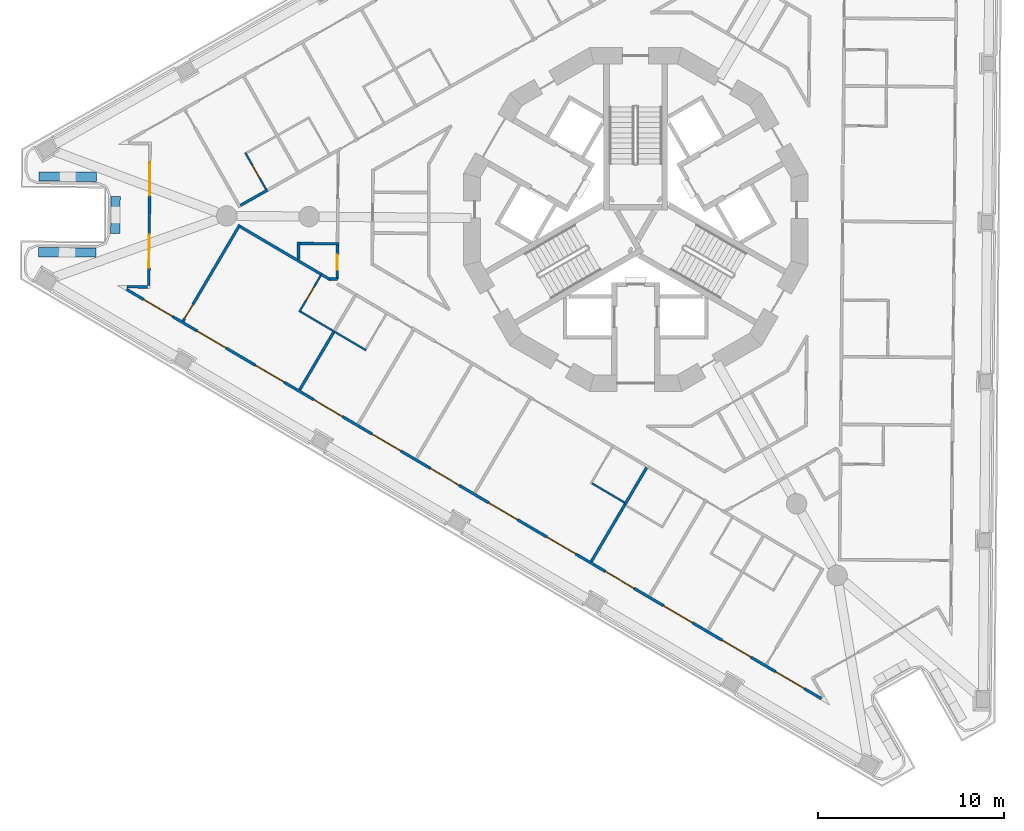
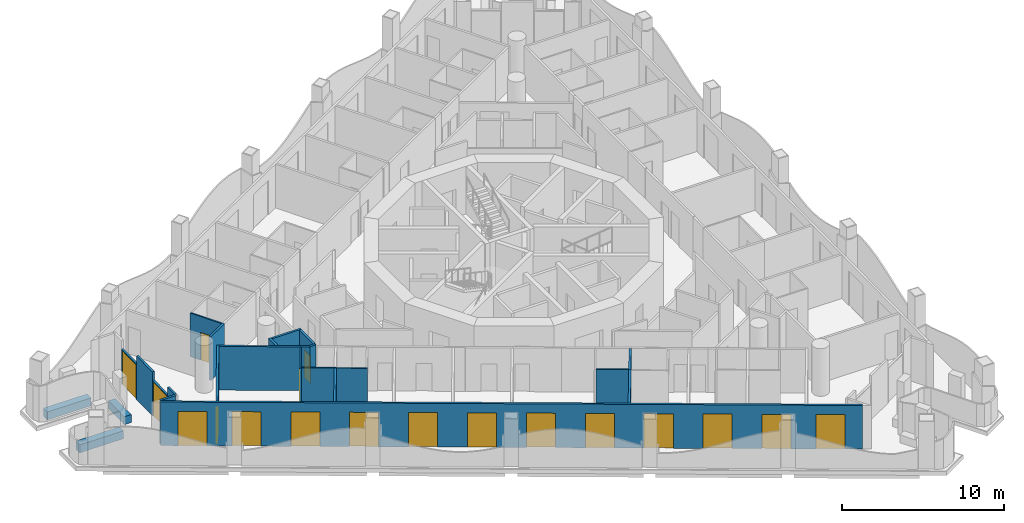
# One storey, part 2 of 17: 24 walls, 18 doors, 18 openings.
"""IFC4 building model written with IfcOpenShell, lengths in metres."""

from ifc_helpers import new_model, si_unit, direction, frame, frame_2d, origin, place, context, subcontext, project, spatial, polyline, rectangle, outline, extrude, material, layer, layer_set, type_object, element, fill, save


model = new_model("IFC4")

# Units and contexts
model_context = context("Model", 3, precision=1e-05, world=origin(), true_north=direction((0.0, 1.0)))
body_context = subcontext(model_context, "Body", "Model", "MODEL_VIEW")
ifc_project = project(units=[si_unit("LENGTHUNIT", "METRE"), si_unit("AREAUNIT", "SQUARE_METRE"), si_unit("VOLUMEUNIT", "CUBIC_METRE"), si_unit("PLANEANGLEUNIT", "RADIAN"), si_unit("MASSUNIT", "GRAM", prefix="KILO")], contexts=[model_context])

# Site, building, storey
site_placement = place(None, origin())
site = spatial("IfcSite", under=ifc_project, at=site_placement, CompositionType="ELEMENT")
building_placement = place(site_placement, origin())
building = spatial("IfcBuilding", under=site, at=building_placement, Name="Trine Commons Tower", CompositionType="ELEMENT")
storey_placement = place(building_placement, frame((0.0, 0.0, 179.10009765625)))
storey = spatial("IfcBuildingStorey", under=building, at=storey_placement, Name="L46", CompositionType="ELEMENT", Elevation=179.10009765625)

# Walls
ifc_material_1 = material(Name="Aluminium-framed insulated wall panel", Category="aluminium")
ifc_layer_1 = layer(ifc_material_1, 0.14990234375)
ifc_layer_set_1 = layer_set([ifc_layer_1], Name="Aluminium-framed insulated wall panel")
wall_type_1 = type_object("IfcWallType", Name="Glazed frame wall 150, EI 60", PredefinedType="SOLIDWALL", material=ifc_layer_set_1)
wall_1_placement = place(storey_placement, frame((52.447265625, 58.875244140625, 0.0), z_axis=(0.0, 0.0, 1.0), x_axis=(0.999962043845, -0.008712684354, 0.0)))
element("IfcWall", 1, at=wall_1_placement, inside=storey, type_object=wall_type_1, Name="Glazed frame wall R1", PredefinedType="SOLIDWALL", context=body_context, shape_type="SweptSolid", body=[
    extrude(outline(polyline([(0.1494140625, 0.074951171875), (0.1494140625, -0.074951171875), (1.235107421875, -0.074951171875), (1.235107421875, 0.074951171875), (0.1494140625, 0.074951171875)])), origin(), (0.0, 0.0, 1.0), 3.2998046875),
])
wall_2_placement = place(storey_placement, frame((53.7568359375, 58.828857421875, 0.0), z_axis=(0.0, 0.0, 1.0), x_axis=(0.008788723053, 0.999961378428, 0.0)))
element("IfcWall", 2, at=wall_2_placement, inside=storey, type_object=wall_type_1, Name="Glazed frame wall P1.1", PredefinedType="SOLIDWALL", context=body_context, shape_type="SweptSolid", body=[
    extrude(outline(polyline([(0.110107421875, -0.074951171875), (1.0, -0.074951171875), (1.0, 0.074951171875), (0.110107421875, 0.074951171875), (0.110107421875, -0.074951171875)])), origin(), (0.0, 0.0, 1.0), 3.2998046875),
])

# Wall, opening, door
wall_3_placement = place(storey_placement, frame((53.765625, 59.828857421875, 0.0), z_axis=(0.0, 0.0, 1.0), x_axis=(0.008737780017, 0.999961824872, 0.0)))
wall_3 = element("IfcWall", 3, at=wall_3_placement, inside=storey, type_object=wall_type_1, Name="Glazed frame wall P1.2", PredefinedType="SOLIDWALL", context=body_context, shape_type="SweptSolid", body=[
    extrude(outline(polyline([(0.0, -0.074951171875), (1.89990234375, -0.074951171875), (1.89990234375, 0.074951171875), (0.0, 0.074951171875), (0.0, -0.074951171875)])), origin(), (0.0, 0.0, 1.0), 2.64990234375),
])
opening_1_placement = place(wall_3_placement, frame((0.050048828125, 0.0, 0.0)))
opening_1 = element("IfcOpeningElement", 4, at=opening_1_placement, cuts=wall_3, Name="Opening BD-5P1-01", PredefinedType="OPENING", context=body_context, shape_type="SweptSolid", body=[
    extrude(rectangle(XDim=1.800048828125, YDim=2.60009765625, at=frame_2d((0.89990234375, 1.300048828125))), frame((0.0, 0.0849609375, 0.0), z_axis=(0.0, -1.0, 0.0), x_axis=(1.0, 0.0, 0.0)), (0.0, 0.0, 1.0), 0.169921875),
])
ifc_material_2 = material(Name="Anodised aluminium frame with double glazing", Category="aluminium")
door_type_1 = type_object("IfcDoorType", Name="Sliding loggia door 1800x2600", OperationType="SLIDING_TO_LEFT", PredefinedType="DOOR", material=ifc_material_2)
door_1_placement = place(opening_1_placement, origin())
door_1 = element("IfcDoor", 5, at=door_1_placement, inside=storey, type_object=door_type_1, Name="Loggia door P1 1", OperationType="SLIDING_TO_LEFT", OverallHeight=2.60009765625, OverallWidth=1.800048828125, PredefinedType="DOOR", context=body_context, shape_type="SweptSolid", body=[
    extrude(rectangle(XDim=1.800048828125, YDim=2.60009765625, at=frame_2d((0.89990234375, 1.300048828125))), frame((0.0, 0.02490234375, 0.0), z_axis=(0.0, -1.0, 0.0), x_axis=(1.0, 0.0, 0.0)), (0.0, 0.0, 1.0), 0.050048828125),
])
fill(opening_1, door_1)

# Wall
wall_4_placement = place(storey_placement, frame((53.7822265625, 61.728759765625, 0.0), z_axis=(0.0, 0.0, 1.0), x_axis=(0.008788723053, 0.999961378428, 0.0)))
element("IfcWall", 6, at=wall_4_placement, inside=storey, type_object=wall_type_1, Name="Glazed frame wall P1.3", PredefinedType="SOLIDWALL", context=body_context, shape_type="SweptSolid", body=[
    extrude(outline(polyline([(0.0, -0.074951171875), (2.0, -0.074951171875), (2.0, 0.074951171875), (0.0, 0.074951171875), (0.0, -0.074951171875)])), origin(), (0.0, 0.0, 1.0), 3.2998046875),
])

# Wall, opening, door
wall_5_placement = place(storey_placement, frame((53.7998046875, 63.728759765625, 0.0), z_axis=(0.0, 0.0, 1.0), x_axis=(0.008609292847, 0.999962939352, 0.0)))
wall_5 = element("IfcWall", 7, at=wall_5_placement, inside=storey, type_object=wall_type_1, Name="Glazed frame wall P1.4", PredefinedType="SOLIDWALL", context=body_context, shape_type="SweptSolid", body=[
    extrude(outline(polyline([(0.0, -0.074951171875), (1.89990234375, -0.074951171875), (1.89990234375, 0.074951171875), (0.0, 0.074951171875), (0.0, -0.074951171875)])), origin(), (0.0, 0.0, 1.0), 2.64990234375),
])
opening_2_placement = place(wall_5_placement, frame((0.050048828125, 0.0, 0.0)))
opening_2 = element("IfcOpeningElement", 8, at=opening_2_placement, cuts=wall_5, Name="Opening BD-5P1-02", PredefinedType="OPENING", context=body_context, shape_type="SweptSolid", body=[
    extrude(rectangle(XDim=1.800048828125, YDim=2.60009765625, at=frame_2d((0.89990234375, 1.300048828125))), frame((0.0, 0.0849609375, 0.0), z_axis=(0.0, -1.0, 0.0), x_axis=(1.0, 0.0, 0.0)), (0.0, 0.0, 1.0), 0.169921875),
])
door_2_placement = place(opening_2_placement, origin())
door_2 = element("IfcDoor", 9, at=door_2_placement, inside=storey, type_object=door_type_1, Name="Loggia door P1 2", OperationType="SLIDING_TO_LEFT", OverallHeight=2.60009765625, OverallWidth=1.800048828125, PredefinedType="DOOR", context=body_context, shape_type="SweptSolid", body=[
    extrude(rectangle(XDim=1.800048828125, YDim=2.60009765625, at=frame_2d((0.89990234375, 1.300048828125))), frame((0.0, 0.02490234375, 0.0), z_axis=(0.0, -1.0, 0.0), x_axis=(1.0, 0.0, 0.0)), (0.0, 0.0, 1.0), 0.050048828125),
])
fill(opening_2, door_2)

# Wall, openings, doors
wall_6_placement = place(storey_placement, frame((90.139404296875, 36.59716796875, 0.0), z_axis=(0.0, 0.0, 1.0), x_axis=(-0.861630336939, 0.507536365659, 0.0)))
wall_6 = element("IfcWall", 10, at=wall_6_placement, inside=storey, type_object=wall_type_1, Name="Glazed frame wall F3", PredefinedType="SOLIDWALL", context=body_context, shape_type="SweptSolid", body=[
    extrude(outline(polyline([(0.1494140625, 0.074951171875), (0.1494140625, -0.074951171875), (43.616943359375, -0.074951171875), (43.616943359375, 0.074951171875), (0.1494140625, 0.074951171875)])), origin(), (0.0, 0.0, 1.0), 3.2998046875),
])
opening_3_placement = place(wall_6_placement, frame((1.2236328125, 0.0, 0.0)))
opening_3 = element("IfcOpeningElement", 11, at=opening_3_placement, cuts=wall_6, Name="Opening BD-5F3-01", PredefinedType="OPENING", context=body_context, shape_type="SweptSolid", body=[
    extrude(rectangle(XDim=1.800048828125, YDim=2.60009765625, at=frame_2d((0.89990234375, 1.300048828125))), frame((0.0, 0.0849609375, 0.0), z_axis=(0.0, -1.0, 0.0), x_axis=(1.0, 0.0, 0.0)), (0.0, 0.0, 1.0), 0.169921875),
])
opening_4_placement = place(wall_6_placement, frame((4.57080078125, 0.0, 0.0)))
opening_4 = element("IfcOpeningElement", 12, at=opening_4_placement, cuts=wall_6, Name="Opening BD-5F3-02", PredefinedType="OPENING", context=body_context, shape_type="SweptSolid", body=[
    extrude(rectangle(XDim=1.800048828125, YDim=2.60009765625, at=frame_2d((0.89990234375, 1.300048828125))), frame((0.0, 0.0849609375, 0.0), z_axis=(0.0, -1.0, 0.0), x_axis=(1.0, 0.0, 0.0)), (0.0, 0.0, 1.0), 0.169921875),
])
opening_5_placement = place(wall_6_placement, frame((8.218017578125, 0.0, 0.0)))
opening_5 = element("IfcOpeningElement", 13, at=opening_5_placement, cuts=wall_6, Name="Opening BD-5F3-03", PredefinedType="OPENING", context=body_context, shape_type="SweptSolid", body=[
    extrude(rectangle(XDim=1.800048828125, YDim=2.60009765625, at=frame_2d((0.89990234375, 1.300048828125))), frame((0.0, 0.0849609375, 0.0), z_axis=(0.0, -1.0, 0.0), x_axis=(1.0, 0.0, 0.0)), (0.0, 0.0, 1.0), 0.169921875),
])
opening_6_placement = place(wall_6_placement, frame((11.865234375, 0.0, 0.0)))
opening_6 = element("IfcOpeningElement", 14, at=opening_6_placement, cuts=wall_6, Name="Opening BD-5F3-04", PredefinedType="OPENING", context=body_context, shape_type="SweptSolid", body=[
    extrude(rectangle(XDim=1.800048828125, YDim=2.60009765625, at=frame_2d((0.89990234375, 1.300048828125))), frame((0.0, 0.0849609375, 0.0), z_axis=(0.0, -1.0, 0.0), x_axis=(1.0, 0.0, 0.0)), (0.0, 0.0, 1.0), 0.169921875),
])
opening_7_placement = place(wall_6_placement, frame((15.512451171875, 0.0, 0.0)))
opening_7 = element("IfcOpeningElement", 15, at=opening_7_placement, cuts=wall_6, Name="Opening BD-5F3-05", PredefinedType="OPENING", context=body_context, shape_type="SweptSolid", body=[
    extrude(rectangle(XDim=1.800048828125, YDim=2.60009765625, at=frame_2d((0.89990234375, 1.300048828125))), frame((0.0, 0.0849609375, 0.0), z_axis=(0.0, -1.0, 0.0), x_axis=(1.0, 0.0, 0.0)), (0.0, 0.0, 1.0), 0.169921875),
])
opening_8_placement = place(wall_6_placement, frame((19.15966796875, 0.0, 0.0)))
opening_8 = element("IfcOpeningElement", 16, at=opening_8_placement, cuts=wall_6, Name="Opening BD-5F3-06", PredefinedType="OPENING", context=body_context, shape_type="SweptSolid", body=[
    extrude(rectangle(XDim=1.800048828125, YDim=2.60009765625, at=frame_2d((0.89990234375, 1.300048828125))), frame((0.0, 0.0849609375, 0.0), z_axis=(0.0, -1.0, 0.0), x_axis=(1.0, 0.0, 0.0)), (0.0, 0.0, 1.0), 0.169921875),
])
opening_9_placement = place(wall_6_placement, frame((22.806884765625, 0.0, 0.0)))
opening_9 = element("IfcOpeningElement", 17, at=opening_9_placement, cuts=wall_6, Name="Opening BD-5F3-07", PredefinedType="OPENING", context=body_context, shape_type="SweptSolid", body=[
    extrude(rectangle(XDim=1.800048828125, YDim=2.60009765625, at=frame_2d((0.89990234375, 1.300048828125))), frame((0.0, 0.0849609375, 0.0), z_axis=(0.0, -1.0, 0.0), x_axis=(1.0, 0.0, 0.0)), (0.0, 0.0, 1.0), 0.169921875),
])
opening_10_placement = place(wall_6_placement, frame((26.4541015625, 0.0, 0.0)))
opening_10 = element("IfcOpeningElement", 18, at=opening_10_placement, cuts=wall_6, Name="Opening BD-5F3-08", PredefinedType="OPENING", context=body_context, shape_type="SweptSolid", body=[
    extrude(rectangle(XDim=1.800048828125, YDim=2.60009765625, at=frame_2d((0.89990234375, 1.300048828125))), frame((0.0, 0.0849609375, 0.0), z_axis=(0.0, -1.0, 0.0), x_axis=(1.0, 0.0, 0.0)), (0.0, 0.0, 1.0), 0.169921875),
])
opening_11_placement = place(wall_6_placement, frame((30.101318359375, 0.0, 0.0)))
opening_11 = element("IfcOpeningElement", 19, at=opening_11_placement, cuts=wall_6, Name="Opening BD-5F3-09", PredefinedType="OPENING", context=body_context, shape_type="SweptSolid", body=[
    extrude(rectangle(XDim=1.800048828125, YDim=2.60009765625, at=frame_2d((0.89990234375, 1.300048828125))), frame((0.0, 0.0849609375, 0.0), z_axis=(0.0, -1.0, 0.0), x_axis=(1.0, 0.0, 0.0)), (0.0, 0.0, 1.0), 0.169921875),
])
opening_12_placement = place(wall_6_placement, frame((33.748291015625, 0.0, 0.0)))
opening_12 = element("IfcOpeningElement", 20, at=opening_12_placement, cuts=wall_6, Name="Opening BD-5F3-10", PredefinedType="OPENING", context=body_context, shape_type="SweptSolid", body=[
    extrude(rectangle(XDim=1.800048828125, YDim=2.60009765625, at=frame_2d((0.89990234375, 1.300048828125))), frame((0.0, 0.0849609375, 0.0), z_axis=(0.0, -1.0, 0.0), x_axis=(1.0, 0.0, 0.0)), (0.0, 0.0, 1.0), 0.169921875),
])
opening_13_placement = place(wall_6_placement, frame((37.3955078125, 0.0, 0.0)))
opening_13 = element("IfcOpeningElement", 21, at=opening_13_placement, cuts=wall_6, Name="Opening BD-5F3-11", PredefinedType="OPENING", context=body_context, shape_type="SweptSolid", body=[
    extrude(rectangle(XDim=1.800048828125, YDim=2.60009765625, at=frame_2d((0.89990234375, 1.300048828125))), frame((0.0, 0.0849609375, 0.0), z_axis=(0.0, -1.0, 0.0), x_axis=(1.0, 0.0, 0.0)), (0.0, 0.0, 1.0), 0.169921875),
])
opening_14_placement = place(wall_6_placement, frame((40.742919921875, 0.0, 0.0)))
opening_14 = element("IfcOpeningElement", 22, at=opening_14_placement, cuts=wall_6, Name="Opening BD-5F3-12", PredefinedType="OPENING", context=body_context, shape_type="SweptSolid", body=[
    extrude(rectangle(XDim=1.800048828125, YDim=2.60009765625, at=frame_2d((0.89990234375, 1.300048828125))), frame((0.0, 0.0849609375, 0.0), z_axis=(0.0, -1.0, 0.0), x_axis=(1.0, 0.0, 0.0)), (0.0, 0.0, 1.0), 0.169921875),
])
door_3_placement = place(opening_3_placement, origin())
door_3 = element("IfcDoor", 23, at=door_3_placement, inside=storey, type_object=door_type_1, Name="Loggia door F3 1", OperationType="SLIDING_TO_LEFT", OverallHeight=2.60009765625, OverallWidth=1.800048828125, PredefinedType="DOOR", context=body_context, shape_type="SweptSolid", body=[
    extrude(rectangle(XDim=1.800048828125, YDim=2.60009765625, at=frame_2d((0.89990234375, 1.300048828125))), frame((0.0, 0.02490234375, 0.0), z_axis=(0.0, -1.0, 0.0), x_axis=(1.0, 0.0, 0.0)), (0.0, 0.0, 1.0), 0.050048828125),
])
fill(opening_3, door_3)
door_4_placement = place(opening_4_placement, origin())
door_4 = element("IfcDoor", 24, at=door_4_placement, inside=storey, type_object=door_type_1, Name="Loggia door F3 2", OperationType="SLIDING_TO_LEFT", OverallHeight=2.60009765625, OverallWidth=1.800048828125, PredefinedType="DOOR", context=body_context, shape_type="SweptSolid", body=[
    extrude(rectangle(XDim=1.800048828125, YDim=2.60009765625, at=frame_2d((0.89990234375, 1.300048828125))), frame((0.0, 0.02490234375, 0.0), z_axis=(0.0, -1.0, 0.0), x_axis=(1.0, 0.0, 0.0)), (0.0, 0.0, 1.0), 0.050048828125),
])
fill(opening_4, door_4)
door_5_placement = place(opening_5_placement, origin())
door_5 = element("IfcDoor", 25, at=door_5_placement, inside=storey, type_object=door_type_1, Name="Loggia door F3 3", OperationType="SLIDING_TO_LEFT", OverallHeight=2.60009765625, OverallWidth=1.800048828125, PredefinedType="DOOR", context=body_context, shape_type="SweptSolid", body=[
    extrude(rectangle(XDim=1.800048828125, YDim=2.60009765625, at=frame_2d((0.89990234375, 1.300048828125))), frame((0.0, 0.02490234375, 0.0), z_axis=(0.0, -1.0, 0.0), x_axis=(1.0, 0.0, 0.0)), (0.0, 0.0, 1.0), 0.050048828125),
])
fill(opening_5, door_5)
door_6_placement = place(opening_6_placement, origin())
door_6 = element("IfcDoor", 26, at=door_6_placement, inside=storey, type_object=door_type_1, Name="Loggia door F3 4", OperationType="SLIDING_TO_LEFT", OverallHeight=2.60009765625, OverallWidth=1.800048828125, PredefinedType="DOOR", context=body_context, shape_type="SweptSolid", body=[
    extrude(rectangle(XDim=1.800048828125, YDim=2.60009765625, at=frame_2d((0.89990234375, 1.300048828125))), frame((0.0, 0.02490234375, 0.0), z_axis=(0.0, -1.0, 0.0), x_axis=(1.0, 0.0, 0.0)), (0.0, 0.0, 1.0), 0.050048828125),
])
fill(opening_6, door_6)
door_7_placement = place(opening_7_placement, origin())
door_7 = element("IfcDoor", 27, at=door_7_placement, inside=storey, type_object=door_type_1, Name="Loggia door F3 5", OperationType="SLIDING_TO_LEFT", OverallHeight=2.60009765625, OverallWidth=1.800048828125, PredefinedType="DOOR", context=body_context, shape_type="SweptSolid", body=[
    extrude(rectangle(XDim=1.800048828125, YDim=2.60009765625, at=frame_2d((0.89990234375, 1.300048828125))), frame((0.0, 0.02490234375, 0.0), z_axis=(0.0, -1.0, 0.0), x_axis=(1.0, 0.0, 0.0)), (0.0, 0.0, 1.0), 0.050048828125),
])
fill(opening_7, door_7)
door_8_placement = place(opening_8_placement, origin())
door_8 = element("IfcDoor", 28, at=door_8_placement, inside=storey, type_object=door_type_1, Name="Loggia door F3 6", OperationType="SLIDING_TO_LEFT", OverallHeight=2.60009765625, OverallWidth=1.800048828125, PredefinedType="DOOR", context=body_context, shape_type="SweptSolid", body=[
    extrude(rectangle(XDim=1.800048828125, YDim=2.60009765625, at=frame_2d((0.89990234375, 1.300048828125))), frame((0.0, 0.02490234375, 0.0), z_axis=(0.0, -1.0, 0.0), x_axis=(1.0, 0.0, 0.0)), (0.0, 0.0, 1.0), 0.050048828125),
])
fill(opening_8, door_8)
door_9_placement = place(opening_9_placement, origin())
door_9 = element("IfcDoor", 29, at=door_9_placement, inside=storey, type_object=door_type_1, Name="Loggia door F3 7", OperationType="SLIDING_TO_LEFT", OverallHeight=2.60009765625, OverallWidth=1.800048828125, PredefinedType="DOOR", context=body_context, shape_type="SweptSolid", body=[
    extrude(rectangle(XDim=1.800048828125, YDim=2.60009765625, at=frame_2d((0.89990234375, 1.300048828125))), frame((0.0, 0.02490234375, 0.0), z_axis=(0.0, -1.0, 0.0), x_axis=(1.0, 0.0, 0.0)), (0.0, 0.0, 1.0), 0.050048828125),
])
fill(opening_9, door_9)
door_10_placement = place(opening_10_placement, origin())
door_10 = element("IfcDoor", 30, at=door_10_placement, inside=storey, type_object=door_type_1, Name="Loggia door F3 8", OperationType="SLIDING_TO_LEFT", OverallHeight=2.60009765625, OverallWidth=1.800048828125, PredefinedType="DOOR", context=body_context, shape_type="SweptSolid", body=[
    extrude(rectangle(XDim=1.800048828125, YDim=2.60009765625, at=frame_2d((0.89990234375, 1.300048828125))), frame((0.0, 0.02490234375, 0.0), z_axis=(0.0, -1.0, 0.0), x_axis=(1.0, 0.0, 0.0)), (0.0, 0.0, 1.0), 0.050048828125),
])
fill(opening_10, door_10)
door_11_placement = place(opening_11_placement, origin())
door_11 = element("IfcDoor", 31, at=door_11_placement, inside=storey, type_object=door_type_1, Name="Loggia door F3 9", OperationType="SLIDING_TO_LEFT", OverallHeight=2.60009765625, OverallWidth=1.800048828125, PredefinedType="DOOR", context=body_context, shape_type="SweptSolid", body=[
    extrude(rectangle(XDim=1.800048828125, YDim=2.60009765625, at=frame_2d((0.89990234375, 1.300048828125))), frame((0.0, 0.02490234375, 0.0), z_axis=(0.0, -1.0, 0.0), x_axis=(1.0, 0.0, 0.0)), (0.0, 0.0, 1.0), 0.050048828125),
])
fill(opening_11, door_11)
door_12_placement = place(opening_12_placement, origin())
door_12 = element("IfcDoor", 32, at=door_12_placement, inside=storey, type_object=door_type_1, Name="Loggia door F3 10", OperationType="SLIDING_TO_LEFT", OverallHeight=2.60009765625, OverallWidth=1.800048828125, PredefinedType="DOOR", context=body_context, shape_type="SweptSolid", body=[
    extrude(rectangle(XDim=1.800048828125, YDim=2.60009765625, at=frame_2d((0.89990234375, 1.300048828125))), frame((0.0, 0.02490234375, 0.0), z_axis=(0.0, -1.0, 0.0), x_axis=(1.0, 0.0, 0.0)), (0.0, 0.0, 1.0), 0.050048828125),
])
fill(opening_12, door_12)
door_13_placement = place(opening_13_placement, origin())
door_13 = element("IfcDoor", 33, at=door_13_placement, inside=storey, type_object=door_type_1, Name="Loggia door F3 11", OperationType="SLIDING_TO_LEFT", OverallHeight=2.60009765625, OverallWidth=1.800048828125, PredefinedType="DOOR", context=body_context, shape_type="SweptSolid", body=[
    extrude(rectangle(XDim=1.800048828125, YDim=2.60009765625, at=frame_2d((0.89990234375, 1.300048828125))), frame((0.0, 0.02490234375, 0.0), z_axis=(0.0, -1.0, 0.0), x_axis=(1.0, 0.0, 0.0)), (0.0, 0.0, 1.0), 0.050048828125),
])
fill(opening_13, door_13)
door_14_placement = place(opening_14_placement, origin())
door_14 = element("IfcDoor", 34, at=door_14_placement, inside=storey, type_object=door_type_1, Name="Loggia door F3 12", OperationType="SLIDING_TO_LEFT", OverallHeight=2.60009765625, OverallWidth=1.800048828125, PredefinedType="DOOR", context=body_context, shape_type="SweptSolid", body=[
    extrude(rectangle(XDim=1.800048828125, YDim=2.60009765625, at=frame_2d((0.89990234375, 1.300048828125))), frame((0.0, 0.02490234375, 0.0), z_axis=(0.0, -1.0, 0.0), x_axis=(1.0, 0.0, 0.0)), (0.0, 0.0, 1.0), 0.050048828125),
])
fill(opening_14, door_14)

# Walls
ifc_material_3 = material(Name="Planter trough, precast concrete C40/50", Category="concrete")
ifc_layer_2 = layer(ifc_material_3, 0.5)
ifc_layer_set_2 = layer_set([ifc_layer_2], Name="Planter trough, precast concrete C40/50")
wall_type_2 = type_object("IfcWallType", Name="Planter trough 500x600", PredefinedType="PARAPET", material=ifc_layer_set_2)
wall_7_placement = place(storey_placement, frame((47.808349609375, 60.74072265625, 0.0), z_axis=(0.0, 0.0, 1.0), x_axis=(0.99996247431, -0.008663138708, 0.0)))
element("IfcWall", 35, at=wall_7_placement, inside=storey, type_object=wall_type_2, Name="Planter 1", PredefinedType="PARAPET", context=body_context, shape_type="SweptSolid", body=[
    extrude(rectangle(XDim=3.099853515625, YDim=0.5, at=frame_2d((1.5498046875, 0.0))), origin(), (0.0, 0.0, 1.0), 0.599853515625),
])
wall_8_placement = place(storey_placement, frame((51.957275390625, 61.74462890625, 0.0), z_axis=(0.0, 0.0, 1.0), x_axis=(0.008666666688, 0.999962443739, 0.0)))
element("IfcWall", 36, at=wall_8_placement, inside=storey, type_object=wall_type_2, Name="Planter 2", PredefinedType="PARAPET", context=body_context, shape_type="SweptSolid", body=[
    extrude(rectangle(XDim=2.0, YDim=0.5, at=frame_2d((1.0, 0.0))), origin(), (0.0, 0.0, 1.0), 0.599853515625),
])
wall_9_placement = place(storey_placement, frame((50.94384765625, 64.793701171875, 0.0), z_axis=(0.0, 0.0, 1.0), x_axis=(-0.999961788962, 0.008741888523, 0.0)))
element("IfcWall", 37, at=wall_9_placement, inside=storey, type_object=wall_type_2, Name="Planter 3", PredefinedType="PARAPET", context=body_context, shape_type="SweptSolid", body=[
    extrude(rectangle(XDim=3.099853515625, YDim=0.5, at=frame_2d((1.5498046875, 0.0))), origin(), (0.0, 0.0, 1.0), 0.599853515625),
])

# Wall, opening, door
ifc_material_4 = material(Name="Gypsum plasterboard on steel stud", Category="steel")
ifc_layer_3 = layer(ifc_material_4, 0.14990234375)
ifc_layer_set_3 = layer_set([ifc_layer_3], Name="Gypsum plasterboard on steel stud")
wall_type_3 = type_object("IfcWallType", Name="Unit and corridor wall 150 mm, EI 60", PredefinedType="PARTITIONING", material=ifc_layer_set_3)
wall_10_placement = place(storey_placement, frame((55.609375, 57.0234375, 0.0), z_axis=(0.0, 0.0, 1.0), x_axis=(0.507512364089, 0.861644474419, 0.0)))
wall_10 = element("IfcWall", 38, at=wall_10_placement, inside=storey, type_object=wall_type_3, Name="Partition 001", PredefinedType="PARTITIONING", context=body_context, shape_type="SweptSolid", body=[
    extrude(rectangle(XDim=6.024658203125, YDim=0.14990234375, at=frame_2d((3.01220703125, 0.0))), origin(), (0.0, 0.0, 1.0), 3.2998046875),
])
opening_15_placement = place(wall_10_placement, frame((0.14990234375, 0.0, 0.0)))
opening_15 = element("IfcOpeningElement", 39, at=opening_15_placement, cuts=wall_10, Name="Opening D-5B29", PredefinedType="OPENING", context=body_context, shape_type="SweptSolid", body=[
    extrude(rectangle(XDim=0.89990234375, YDim=2.10009765625, at=frame_2d((0.449951171875, 1.050048828125))), frame((0.0, 0.0849609375, 0.0), z_axis=(0.0, -1.0, 0.0), x_axis=(1.0, 0.0, 0.0)), (0.0, 0.0, 1.0), 0.169921875),
])
ifc_material_5 = material(Name="Timber fire door set", Category="wood")
door_type_2 = type_object("IfcDoorType", Name="Bedroom door 900 x 2100, FD30S", OperationType="NOTDEFINED", PredefinedType="DOOR", material=ifc_material_5)
door_15_placement = place(opening_15_placement, frame((0.89990234375, 0.0, 0.0), z_axis=(0.0, 0.0, 1.0), x_axis=(-1.0, 0.0, 0.0)))
door_15 = element("IfcDoor", 40, at=door_15_placement, inside=storey, type_object=door_type_2, Name="Door D-5B29", OperationType="SINGLE_SWING_RIGHT", OverallHeight=2.10009765625, OverallWidth=0.89990234375, PredefinedType="DOOR", context=body_context, shape_type="SweptSolid", body=[
    extrude(rectangle(XDim=0.89990234375, YDim=2.10009765625, at=frame_2d((0.449951171875, 1.050048828125))), frame((0.0, 0.02490234375, 0.0), z_axis=(0.0, -1.0, 0.0), x_axis=(1.0, 0.0, 0.0)), (0.0, 0.0, 1.0), 0.050048828125),
])
fill(opening_15, door_15)

# Walls
wall_11_placement = place(storey_placement, frame((58.693603515625, 62.11181640625, 0.0), z_axis=(0.0, 0.0, 1.0), x_axis=(0.861647069411, -0.507507958336, 0.0)))
element("IfcWall", 41, at=wall_11_placement, inside=storey, type_object=wall_type_3, Name="Partition 003", PredefinedType="PARTITIONING", context=body_context, shape_type="SweptSolid", body=[
    extrude(rectangle(XDim=5.0732421875, YDim=0.14990234375, at=frame_2d((2.53662109375, 0.0))), origin(), (0.0, 0.0, 1.0), 3.2998046875),
])
wall_12_placement = place(storey_placement, frame((58.704345703125, 63.260009765625, 0.0), z_axis=(0.0, 0.0, 1.0), x_axis=(0.870190857822, 0.492714796778, 0.0)))
element("IfcWall", 42, at=wall_12_placement, inside=storey, type_object=wall_type_3, Name="Partition 004", PredefinedType="PARTITIONING", context=body_context, shape_type="SweptSolid", body=[
    extrude(rectangle(XDim=1.67578125, YDim=0.14990234375, at=frame_2d((0.837890625, 0.0))), origin(), (0.0, 0.0, 1.0), 3.2998046875),
])
wall_13_placement = place(storey_placement, frame((61.82568359375, 60.343017578125, 0.0), z_axis=(0.0, 0.0, 1.0), x_axis=(0.008337386084, 0.999965243393, 0.0)))
element("IfcWall", 43, at=wall_13_placement, inside=storey, type_object=wall_type_3, Name="Partition 010", PredefinedType="PARTITIONING", context=body_context, shape_type="SweptSolid", body=[
    extrude(rectangle(XDim=0.93701171875, YDim=0.14990234375, at=frame_2d((0.468505859375, 0.0))), origin(), (0.0, 0.0, 1.0), 3.2998046875),
])
wall_14_placement = place(storey_placement, frame((61.907958984375, 61.204345703125, 0.0), z_axis=(0.0, 0.0, 1.0), x_axis=(0.999962964822, -0.008606333961, 0.0)))
element("IfcWall", 44, at=wall_14_placement, inside=storey, type_object=wall_type_3, Name="Partition 011", PredefinedType="PARTITIONING", context=body_context, shape_type="SweptSolid", body=[
    extrude(rectangle(XDim=2.09912109375, YDim=0.14990234375, at=frame_2d((1.049560546875, 0.0))), origin(), (0.0, 0.0, 1.0), 3.2998046875),
])
wall_15_placement = place(storey_placement, frame((61.894287109375, 53.321533203125, 0.0), z_axis=(0.0, 0.0, 1.0), x_axis=(0.507657247854, 0.86155912084, 0.0)))
element("IfcWall", 45, at=wall_15_placement, inside=storey, type_object=wall_type_3, Name="Partition 012", PredefinedType="PARTITIONING", context=body_context, shape_type="SweptSolid", body=[
    extrude(rectangle(XDim=3.599609375, YDim=0.14990234375, at=frame_2d((1.7998046875, 0.0))), origin(), (0.0, 0.0, 1.0), 3.2998046875),
])
wall_16_placement = place(storey_placement, frame((63.05908203125, 59.541015625, 0.0), z_axis=(0.0, 0.0, 1.0), x_axis=(0.861380392191, -0.507960451167, 0.0)))
element("IfcWall", 46, at=wall_16_placement, inside=storey, type_object=wall_type_3, Name="Partition 017", PredefinedType="PARTITIONING", context=body_context, shape_type="SweptSolid", body=[
    extrude(rectangle(XDim=0.567138671875, YDim=0.14990234375, at=frame_2d((0.28369140625, 0.0))), origin(), (0.0, 0.0, 1.0), 3.2998046875),
])
wall_17_placement = place(storey_placement, frame((63.537109375, 59.29052734375, 0.0), z_axis=(0.0, 0.0, 1.0), x_axis=(0.99995807265, -0.009157125207, 0.0)))
element("IfcWall", 47, at=wall_17_placement, inside=storey, type_object=wall_type_3, Name="Partition 018", PredefinedType="PARTITIONING", context=body_context, shape_type="SweptSolid", body=[
    extrude(rectangle(XDim=0.39990234375, YDim=0.14990234375, at=frame_2d((0.199951171875, 0.0))), origin(), (0.0, 0.0, 1.0), 3.2998046875),
])

# Wall, opening, door
wall_18_placement = place(storey_placement, frame((63.916015625, 59.282958984375, 0.0), z_axis=(0.0, 0.0, 1.0), x_axis=(0.008923459297, 0.999960185144, 0.0)))
wall_18 = element("IfcWall", 48, at=wall_18_placement, inside=storey, type_object=wall_type_3, Name="Partition 022", PredefinedType="PARTITIONING", context=body_context, shape_type="SweptSolid", body=[
    extrude(rectangle(XDim=1.8330078125, YDim=0.14990234375, at=frame_2d((0.91650390625, 0.0))), origin(), (0.0, 0.0, 1.0), 3.2998046875),
])
opening_16_placement = place(wall_18_placement, frame((0.5185546875, 0.0, 0.0)))
opening_16 = element("IfcOpeningElement", 49, at=opening_16_placement, cuts=wall_18, Name="Opening D-5B05", PredefinedType="OPENING", context=body_context, shape_type="SweptSolid", body=[
    extrude(rectangle(XDim=0.800048828125, YDim=2.10009765625, at=frame_2d((0.39990234375, 1.050048828125))), frame((0.0, 0.0849609375, 0.0), z_axis=(0.0, -1.0, 0.0), x_axis=(1.0, 0.0, 0.0)), (0.0, 0.0, 1.0), 0.169921875),
])
ifc_material_6 = material(Name="Painted timber", Category="wood")
door_type_3 = type_object("IfcDoorType", Name="Toilet door 800 x 2100, NOT RATED", OperationType="NOTDEFINED", PredefinedType="DOOR", material=ifc_material_6)
door_16_placement = place(opening_16_placement, origin())
door_16 = element("IfcDoor", 50, at=door_16_placement, inside=storey, type_object=door_type_3, Name="Door D-5B05", OperationType="SINGLE_SWING_RIGHT", OverallHeight=2.10009765625, OverallWidth=0.800048828125, PredefinedType="DOOR", context=body_context, shape_type="SweptSolid", body=[
    extrude(rectangle(XDim=0.800048828125, YDim=2.10009765625, at=frame_2d((0.39990234375, 1.050048828125))), frame((0.0, 0.02490234375, 0.0), z_axis=(0.0, -1.0, 0.0), x_axis=(1.0, 0.0, 0.0)), (0.0, 0.0, 1.0), 0.050048828125),
])
fill(opening_16, door_16)

# Walls
wall_19_placement = place(storey_placement, frame((77.607421875, 44.06640625, 0.0), z_axis=(0.0, 0.0, 1.0), x_axis=(0.507645549637, 0.861566013683, 0.0)))
element("IfcWall", 51, at=wall_19_placement, inside=storey, type_object=wall_type_3, Name="Partition 059", PredefinedType="PARTITIONING", context=body_context, shape_type="SweptSolid", body=[
    extrude(rectangle(XDim=3.598876953125, YDim=0.14990234375, at=frame_2d((1.79931640625, 0.0))), origin(), (0.0, 0.0, 1.0), 3.2998046875),
])
wall_20_placement = place(storey_placement, frame((79.4326171875, 47.162841796875, 0.0), z_axis=(0.0, 0.0, 1.0), x_axis=(0.507296227994, 0.861771743017, 0.0)))
element("IfcWall", 52, at=wall_20_placement, inside=storey, type_object=wall_type_3, Name="Partition 066", PredefinedType="PARTITIONING", context=body_context, shape_type="SweptSolid", body=[
    extrude(rectangle(XDim=2.27978515625, YDim=0.14990234375, at=frame_2d((1.139892578125, 0.0))), origin(), (0.0, 0.0, 1.0), 3.2998046875),
])

# Wall, opening, door
ifc_layer_4 = layer(ifc_material_4, 0.10009765625)
ifc_layer_set_4 = layer_set([ifc_layer_4], Name="Gypsum plasterboard on steel stud")
wall_type_4 = type_object("IfcWallType", Name="Unit partition 100 mm, no rating", PredefinedType="PARTITIONING", material=ifc_layer_set_4)
wall_21_placement = place(storey_placement, frame((58.95849609375, 66.1044921875, 0.0), z_axis=(0.0, 0.0, 1.0), x_axis=(0.49250622102, -0.870308923462, 0.0)))
wall_21 = element("IfcWall", 53, at=wall_21_placement, inside=storey, type_object=wall_type_4, Name="Partition 006", PredefinedType="PARTITIONING", context=body_context, shape_type="SweptSolid", body=[
    extrude(rectangle(XDim=2.275390625, YDim=0.10009765625, at=frame_2d((1.1376953125, 0.0))), origin(), (0.0, 0.0, 1.0), 3.2998046875),
])
opening_17_placement = place(wall_21_placement, frame((0.7626953125, 0.0, 0.0)))
opening_17 = element("IfcOpeningElement", 54, at=opening_17_placement, cuts=wall_21, Name="Opening D-5B39", PredefinedType="OPENING", context=body_context, shape_type="SweptSolid", body=[
    extrude(rectangle(XDim=0.800048828125, YDim=2.10009765625, at=frame_2d((0.39990234375, 1.050048828125))), frame((0.0, 0.06005859375, 0.0), z_axis=(0.0, -1.0, 0.0), x_axis=(1.0, 0.0, 0.0)), (0.0, 0.0, 1.0), 0.1201171875),
])
door_type_4 = type_object("IfcDoorType", Name="Internal door 800 x 2100, NOT RATED", OperationType="NOTDEFINED", PredefinedType="DOOR", material=ifc_material_6)
door_17_placement = place(opening_17_placement, frame((0.800048828125, 0.0, 0.0), z_axis=(0.0, 0.0, 1.0), x_axis=(-1.0, 0.0, 0.0)))
door_17 = element("IfcDoor", 55, at=door_17_placement, inside=storey, type_object=door_type_4, Name="Door D-5B39", OperationType="SINGLE_SWING_LEFT", OverallHeight=2.10009765625, OverallWidth=0.800048828125, PredefinedType="DOOR", context=body_context, shape_type="SweptSolid", body=[
    extrude(rectangle(XDim=0.800048828125, YDim=2.10009765625, at=frame_2d((0.39990234375, 1.050048828125))), frame((0.0, 0.02490234375, 0.0), z_axis=(0.0, -1.0, 0.0), x_axis=(1.0, 0.0, 0.0)), (0.0, 0.0, 1.0), 0.050048828125),
])
fill(opening_17, door_17)

wall_22_placement = place(storey_placement, frame((61.86865234375, 57.513916015625, 0.0), z_axis=(0.0, 0.0, 1.0), x_axis=(0.50769515182, 0.861536785528, 0.0)))
wall_22 = element("IfcWall", 56, at=wall_22_placement, inside=storey, type_object=wall_type_4, Name="Partition 013", PredefinedType="PARTITIONING", context=body_context, shape_type="SweptSolid", body=[
    extrude(rectangle(XDim=2.275634765625, YDim=0.10009765625, at=frame_2d((1.1376953125, 0.0))), origin(), (0.0, 0.0, 1.0), 3.2998046875),
])
opening_18_placement = place(wall_22_placement, frame((0.7626953125, 0.0, 0.0)))
opening_18 = element("IfcOpeningElement", 57, at=opening_18_placement, cuts=wall_22, Name="Opening D-5B58", PredefinedType="OPENING", context=body_context, shape_type="SweptSolid", body=[
    extrude(rectangle(XDim=0.800048828125, YDim=2.10009765625, at=frame_2d((0.39990234375, 1.050048828125))), frame((0.0, 0.06005859375, 0.0), z_axis=(0.0, -1.0, 0.0), x_axis=(1.0, 0.0, 0.0)), (0.0, 0.0, 1.0), 0.1201171875),
])
door_18_placement = place(opening_18_placement, origin())
door_18 = element("IfcDoor", 58, at=door_18_placement, inside=storey, type_object=door_type_4, Name="Door D-5B58", OperationType="SINGLE_SWING_RIGHT", OverallHeight=2.10009765625, OverallWidth=0.800048828125, PredefinedType="DOOR", context=body_context, shape_type="SweptSolid", body=[
    extrude(rectangle(XDim=0.800048828125, YDim=2.10009765625, at=frame_2d((0.39990234375, 1.050048828125))), frame((0.0, 0.02490234375, 0.0), z_axis=(0.0, -1.0, 0.0), x_axis=(1.0, 0.0, 0.0)), (0.0, 0.0, 1.0), 0.050048828125),
])
fill(opening_18, door_18)

# Walls
wall_23_placement = place(storey_placement, frame((61.93701171875, 57.531494140625, 0.0), z_axis=(0.0, 0.0, 1.0), x_axis=(0.861672366325, -0.507465006785, 0.0)))
element("IfcWall", 59, at=wall_23_placement, inside=storey, type_object=wall_type_4, Name="Partition 014", PredefinedType="PARTITIONING", context=body_context, shape_type="SweptSolid", body=[
    extrude(rectangle(XDim=4.100341796875, YDim=0.10009765625, at=frame_2d((2.05029296875, 0.0))), origin(), (0.0, 0.0, 1.0), 3.2998046875),
])
wall_24_placement = place(storey_placement, frame((77.650146484375, 48.276611328125, 0.0), z_axis=(0.0, 0.0, 1.0), x_axis=(0.861372667152, -0.507973550771, 0.0)))
element("IfcWall", 60, at=wall_24_placement, inside=storey, type_object=wall_type_4, Name="Partition 061", PredefinedType="PARTITIONING", context=body_context, shape_type="SweptSolid", body=[
    extrude(rectangle(XDim=2.02490234375, YDim=0.10009765625, at=frame_2d((1.012451171875, 0.0))), origin(), (0.0, 0.0, 1.0), 3.2998046875),
])

save(model, "model.ifc")
